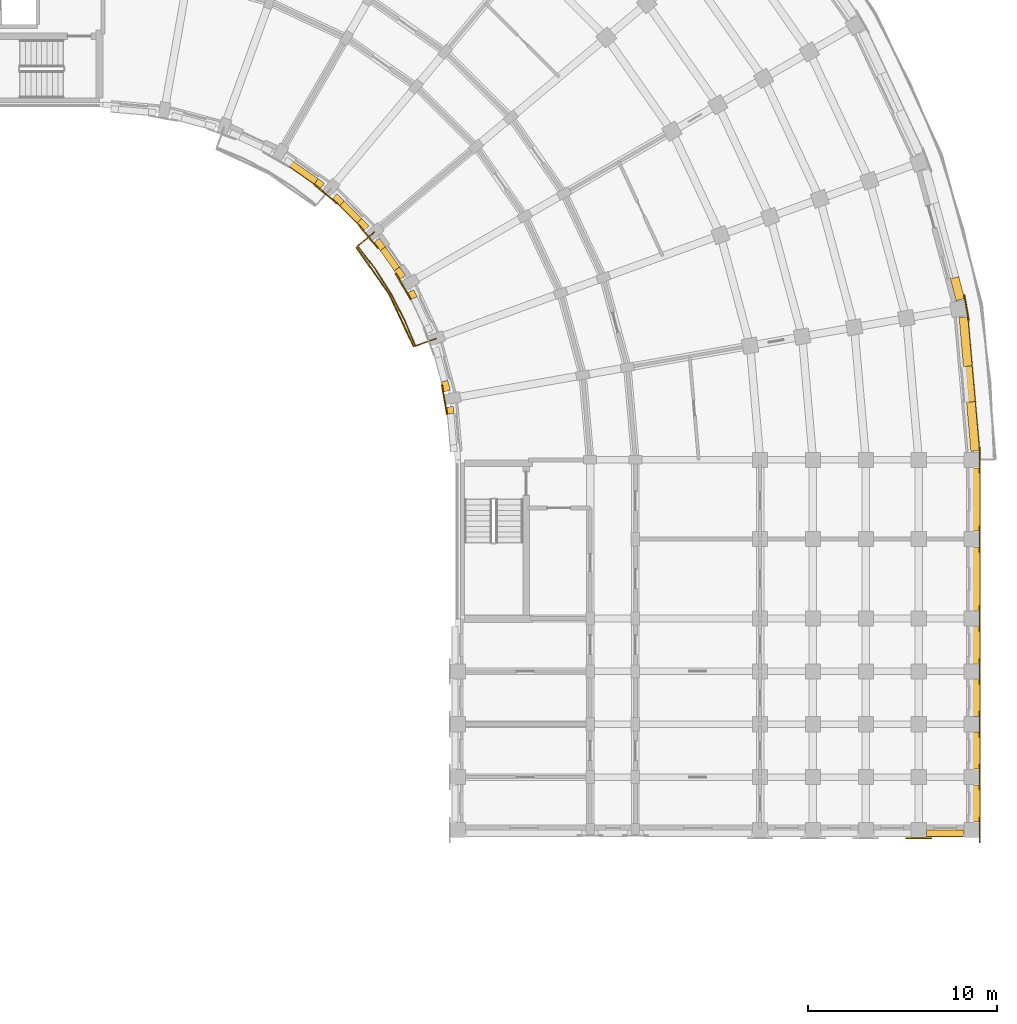
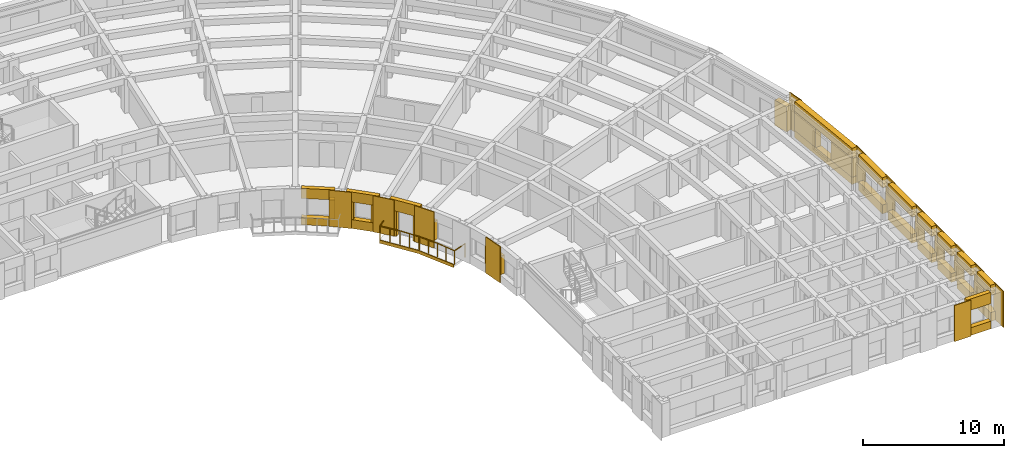
# One storey, part 51 of 54: 46 coverings, 1 railing.
"""IFC4 building model written with IfcOpenShell, lengths in metres."""

from ifc_helpers import new_model, si_unit, direction, frame, origin, origin_2d, place, context, subcontext, project, spatial, polyline, circle, outline, extrude, material, layer, layer_set, type_object, element, save


model = new_model("IFC4")

# Units and contexts
model_context = context("Model", 3, precision=1e-05, world=origin(), true_north=direction((0.0, 1.0)))
body_context = subcontext(model_context, "Body", "Model", "MODEL_VIEW")
ifc_project = project(units=[si_unit("LENGTHUNIT", "METRE"), si_unit("AREAUNIT", "SQUARE_METRE"), si_unit("VOLUMEUNIT", "CUBIC_METRE"), si_unit("PLANEANGLEUNIT", "RADIAN"), si_unit("MASSUNIT", "GRAM", prefix="KILO")], contexts=[model_context])

# Site, building, storey
site_placement = place(None, origin())
site = spatial("IfcSite", under=ifc_project, at=site_placement, CompositionType="ELEMENT")
building_placement = place(site_placement, origin())
building = spatial("IfcBuilding", under=site, at=building_placement, Name="Kiranvali Square Residences", CompositionType="ELEMENT")
storey_placement = place(building_placement, frame((0.0, 0.0, 15.0)))
storey = spatial("IfcBuildingStorey", under=building, at=storey_placement, Name="L04", CompositionType="ELEMENT", Elevation=15.0)

# Coverings
ifc_material_1 = material(Name="Carved Porbandar limestone classical entablature and cornice", Category="masonry")
ifc_layer_1 = layer(ifc_material_1, 0.06201171875)
ifc_layer_set_1 = layer_set([ifc_layer_1], Name="Carved Porbandar limestone classical entablature and cornice")
covering_type_1 = type_object("IfcCoveringType", Name="COV-CLAD-GBAL", PredefinedType="CLADDING", material=ifc_layer_set_1)
covering_1_placement = place(storey_placement, frame((0.0, 0.0, -0.219970703125)))
element("IfcCovering", 1, at=covering_1_placement, inside=storey, type_object=covering_type_1, Name="Block B L04 garden balcony limestone fascia 2", PredefinedType="CLADDING", context=body_context, shape_type="SweptSolid", body=[
    extrude(outline(polyline([(133.1904296875, 99.035888671875), (134.938232421875, 96.5400390625), (136.225830078125, 93.778564453125), (136.289794921875, 93.8017578125), (134.9970703125, 96.573974609375), (133.242431640625, 99.07958984375), (133.1904296875, 99.035888671875)])), origin(), (0.0, 0.0, 1.0), 0.27001953125),
])
ifc_material_2 = material(Name="Honed Porbandar limestone ashlar facade cladding", Category="masonry")
ifc_layer_2 = layer(ifc_material_2, 0.3798828125)
ifc_layer_set_2 = layer_set([ifc_layer_2], Name="Honed Porbandar limestone ashlar facade cladding")
covering_type_2 = type_object("IfcCoveringType", Name="COV-CLAD-JAMB", PredefinedType="CLADDING", material=ifc_layer_set_2)
covering_2_placement = place(storey_placement, origin())
element("IfcCovering", 2, at=covering_2_placement, inside=storey, type_object=covering_type_2, Name="L04 deep limestone window jamb reveal B-L04-CRV-07.R", PredefinedType="CLADDING", context=body_context, shape_type="SweptSolid", body=[
    extrude(outline(polyline([(164.67431640625, 97.382568359375), (164.985107421875, 96.22265625), (165.428955078125, 96.341552734375), (165.1181640625, 97.50146484375), (164.67431640625, 97.382568359375)])), origin(), (0.0, 0.0, 1.0), 2.179931640625),
])
covering_3_placement = place(storey_placement, frame((0.0, 0.0, 0.6220703125)))
element("IfcCovering", 3, at=covering_3_placement, inside=storey, type_object=covering_type_2, Name="L04 deep limestone window jamb reveal B-L04-CRV-08.L", PredefinedType="CLADDING", context=body_context, shape_type="SweptSolid", body=[
    extrude(outline(polyline([(165.140869140625, 95.339599609375), (165.3681640625, 92.740234375), (165.825927734375, 92.7802734375), (165.5986328125, 95.379638671875), (165.140869140625, 95.339599609375)])), origin(), (0.0, 0.0, 1.0), 1.64990234375),
])
covering_4_placement = place(storey_placement, frame((0.0, 0.0, 0.6220703125)))
element("IfcCovering", 4, at=covering_4_placement, inside=storey, type_object=covering_type_2, Name="L04 deep limestone window jamb reveal B-L04-CRV-08.R", PredefinedType="CLADDING", context=body_context, shape_type="SweptSolid", body=[
    extrude(outline(polyline([(165.533935546875, 90.84765625), (165.76123046875, 88.248291015625), (166.218994140625, 88.288330078125), (165.99169921875, 90.8876953125), (165.533935546875, 90.84765625)])), origin(), (0.0, 0.0, 1.0), 1.64990234375),
])
covering_5_placement = place(storey_placement, frame((0.0, 0.0, 0.6220703125)))
element("IfcCovering", 5, at=covering_5_placement, inside=storey, type_object=covering_type_2, Name="L04 deep limestone window jamb reveal B-L04-GDN-03.R", PredefinedType="CLADDING", context=body_context, shape_type="SweptSolid", body=[
    extrude(outline(polyline([(131.00244140625, 102.404052734375), (131.328857421875, 102.175537109375), (131.523681640625, 102.45361328125), (131.197265625, 102.68212890625), (131.00244140625, 102.404052734375)])), origin(), (0.0, 0.0, 1.0), 1.64990234375),
])
covering_6_placement = place(storey_placement, frame((0.0, 0.0, 0.77197265625)))
element("IfcCovering", 6, at=covering_6_placement, inside=storey, type_object=covering_type_2, Name="L04 deep limestone window jamb reveal B-L04-GDN-04.L", PredefinedType="CLADDING", context=body_context, shape_type="SweptSolid", body=[
    extrude(outline(polyline([(131.955078125, 101.650146484375), (132.343017578125, 101.26220703125), (132.5830078125, 101.502197265625), (132.195068359375, 101.89013671875), (131.955078125, 101.650146484375)])), origin(), (0.0, 0.0, 1.0), 1.5),
])
covering_7_placement = place(storey_placement, frame((0.0, 0.0, 0.77197265625)))
element("IfcCovering", 7, at=covering_7_placement, inside=storey, type_object=covering_type_2, Name="L04 deep limestone window jamb reveal B-L04-GDN-04.R", PredefinedType="CLADDING", context=body_context, shape_type="SweptSolid", body=[
    extrude(outline(polyline([(133.26220703125, 100.343017578125), (133.650146484375, 99.955078125), (133.89013671875, 100.195068359375), (133.502197265625, 100.5830078125), (133.26220703125, 100.343017578125)])), origin(), (0.0, 0.0, 1.0), 1.5),
])
covering_8_placement = place(storey_placement, origin())
element("IfcCovering", 8, at=covering_8_placement, inside=storey, type_object=covering_type_2, Name="L04 deep limestone window jamb reveal B-L04-GDN-05.L", PredefinedType="CLADDING", context=body_context, shape_type="SweptSolid", body=[
    extrude(outline(polyline([(134.175537109375, 99.328857421875), (134.490234375, 98.879638671875), (134.768310546875, 99.074462890625), (134.45361328125, 99.523681640625), (134.175537109375, 99.328857421875)])), origin(), (0.0, 0.0, 1.0), 2.179931640625),
])
covering_9_placement = place(storey_placement, origin())
element("IfcCovering", 9, at=covering_9_placement, inside=storey, type_object=covering_type_2, Name="L04 deep limestone window jamb reveal B-L04-GDN-05.R", PredefinedType="CLADDING", context=body_context, shape_type="SweptSolid", body=[
    extrude(outline(polyline([(135.23583984375, 97.814697265625), (135.55029296875, 97.365478515625), (135.828369140625, 97.56005859375), (135.513916015625, 98.009521484375), (135.23583984375, 97.814697265625)])), origin(), (0.0, 0.0, 1.0), 2.179931640625),
])
covering_10_placement = place(storey_placement, frame((0.0, 0.0, 0.6220703125)))
element("IfcCovering", 10, at=covering_10_placement, inside=storey, type_object=covering_type_2, Name="L04 deep limestone window jamb reveal B-L04-GDN-06.L", PredefinedType="CLADDING", context=body_context, shape_type="SweptSolid", body=[
    extrude(outline(polyline([(135.958984375, 96.657470703125), (136.12744140625, 96.29638671875), (136.435302734375, 96.43994140625), (136.266845703125, 96.801025390625), (135.958984375, 96.657470703125)])), origin(), (0.0, 0.0, 1.0), 1.64990234375),
])
covering_11_placement = place(storey_placement, frame((0.0, 0.0, 0.77197265625)))
element("IfcCovering", 11, at=covering_11_placement, inside=storey, type_object=covering_type_2, Name="L04 deep limestone window jamb reveal B-L04-GDN-07.R", PredefinedType="CLADDING", context=body_context, shape_type="SweptSolid", body=[
    extrude(outline(polyline([(137.730224609375, 91.931396484375), (137.8720703125, 91.401611328125), (138.199951171875, 91.489501953125), (138.05810546875, 92.019287109375), (137.730224609375, 91.931396484375)])), origin(), (0.0, 0.0, 1.0), 1.5),
])
covering_12_placement = place(storey_placement, frame((0.0, 0.0, 0.672119140625)))
element("IfcCovering", 12, at=covering_12_placement, inside=storey, type_object=covering_type_2, Name="L04 deep limestone window jamb reveal B-L04-GDN-08.L", PredefinedType="CLADDING", context=body_context, shape_type="SweptSolid", body=[
    extrude(outline(polyline([(138.013916015625, 90.5966796875), (138.046630859375, 90.224609375), (138.384765625, 90.254150390625), (138.352294921875, 90.626220703125), (138.013916015625, 90.5966796875)])), origin(), (0.0, 0.0, 1.0), 1.599853515625),
])
ifc_layer_3 = layer(ifc_material_2, 0.06494140625)
ifc_layer_set_3 = layer_set([ifc_layer_3], Name="Honed Porbandar limestone ashlar facade cladding")
covering_type_3 = type_object("IfcCoveringType", Name="COV-CLAD-PIER", PredefinedType="CLADDING", material=ifc_layer_set_3)
covering_13_placement = place(storey_placement, frame((0.0, 0.0, 0.0048828125)))
element("IfcCovering", 13, at=covering_13_placement, inside=storey, type_object=covering_type_3, Name="L04 Classical limestone corner pilaster CLAD-PR-B-L04-A08", PredefinedType="CLADDING", context=body_context, shape_type="SweptSolid", body=[
    extrude(outline(polyline([(165.68017578125, 95.199462890625), (165.444091796875, 96.538818359375), (165.37744140625, 96.527099609375), (165.61376953125, 95.187744140625), (165.68017578125, 95.199462890625)])), origin(), (0.0, 0.0, 1.0), 3.14013671875),
])
covering_14_placement = place(storey_placement, frame((0.0, 0.0, 0.0048828125)))
element("IfcCovering", 14, at=covering_14_placement, inside=storey, type_object=covering_type_3, Name="L04 Classical limestone corner pilaster CLAD-PR-B-L04-A09", PredefinedType="CLADDING", context=body_context, shape_type="SweptSolid", body=[
    extrude(outline(polyline([(166.26806640625, 87.1201171875), (166.26806640625, 88.47998046875), (166.200439453125, 88.47998046875), (166.200439453125, 87.1201171875), (166.26806640625, 87.1201171875)])), origin(), (0.0, 0.0, 1.0), 3.14013671875),
])
covering_15_placement = place(storey_placement, frame((0.0, 0.0, 0.0048828125)))
element("IfcCovering", 15, at=covering_15_placement, inside=storey, type_object=covering_type_3, Name="L04 Classical limestone pilaster casing CLAD-PR-B-L04-V42", PredefinedType="CLADDING", context=body_context, shape_type="SweptSolid", body=[
    extrude(outline(polyline([(166.200439453125, 84.280029296875), (166.200439453125, 82.919921875), (166.26806640625, 82.919921875), (166.26806640625, 84.280029296875), (166.200439453125, 84.280029296875)])), origin(), (0.0, 0.0, 1.0), 3.14013671875),
])
covering_16_placement = place(storey_placement, frame((0.0, 0.0, 0.0048828125)))
element("IfcCovering", 16, at=covering_16_placement, inside=storey, type_object=covering_type_3, Name="L04 Classical limestone pilaster casing CLAD-PR-B-L04-V84", PredefinedType="CLADDING", context=body_context, shape_type="SweptSolid", body=[
    extrude(outline(polyline([(166.200439453125, 80.080078125), (166.200439453125, 78.719970703125), (166.26806640625, 78.719970703125), (166.26806640625, 80.080078125), (166.200439453125, 80.080078125)])), origin(), (0.0, 0.0, 1.0), 3.14013671875),
])
covering_17_placement = place(storey_placement, frame((0.0, 0.0, 0.0048828125)))
element("IfcCovering", 17, at=covering_17_placement, inside=storey, type_object=covering_type_3, Name="L04 Classical limestone pilaster casing CLAD-PR-B-L04-V112", PredefinedType="CLADDING", context=body_context, shape_type="SweptSolid", body=[
    extrude(outline(polyline([(166.200439453125, 77.280029296875), (166.200439453125, 75.919921875), (166.26806640625, 75.919921875), (166.26806640625, 77.280029296875), (166.200439453125, 77.280029296875)])), origin(), (0.0, 0.0, 1.0), 3.14013671875),
])
covering_18_placement = place(storey_placement, frame((0.0, 0.0, 0.0048828125)))
element("IfcCovering", 18, at=covering_18_placement, inside=storey, type_object=covering_type_3, Name="L04 Classical limestone pilaster casing CLAD-PR-B-L04-V140", PredefinedType="CLADDING", context=body_context, shape_type="SweptSolid", body=[
    extrude(outline(polyline([(166.200439453125, 74.47998046875), (166.200439453125, 73.1201171875), (166.26806640625, 73.1201171875), (166.26806640625, 74.47998046875), (166.200439453125, 74.47998046875)])), origin(), (0.0, 0.0, 1.0), 3.14013671875),
])
covering_19_placement = place(storey_placement, frame((0.0, 0.0, 0.0048828125)))
element("IfcCovering", 19, at=covering_19_placement, inside=storey, type_object=covering_type_3, Name="L04 Classical limestone pilaster casing CLAD-PR-B-L04-V167", PredefinedType="CLADDING", context=body_context, shape_type="SweptSolid", body=[
    extrude(outline(polyline([(166.200439453125, 71.679931640625), (166.200439453125, 70.320068359375), (166.26806640625, 70.320068359375), (166.26806640625, 71.679931640625), (166.200439453125, 71.679931640625)])), origin(), (0.0, 0.0, 1.0), 3.14013671875),
])
covering_20_placement = place(storey_placement, frame((0.0, 0.0, 0.0048828125)))
element("IfcCovering", 20, at=covering_20_placement, inside=storey, type_object=covering_type_3, Name="L04 Classical limestone pilaster casing CLAD-PR-B-L04-V196", PredefinedType="CLADDING", context=body_context, shape_type="SweptSolid", body=[
    extrude(outline(polyline([(166.200439453125, 68.8798828125), (166.200439453125, 67.52001953125), (166.26806640625, 67.52001953125), (166.26806640625, 68.8798828125), (166.200439453125, 68.8798828125)])), origin(), (0.0, 0.0, 1.0), 3.14013671875),
])
ifc_layer_4 = layer(ifc_material_2, 0.050048828125)
ifc_layer_set_4 = layer_set([ifc_layer_4], Name="Honed Porbandar limestone ashlar facade cladding")
covering_type_4 = type_object("IfcCoveringType", Name="COV-CLAD-PIER-IN", PredefinedType="CLADDING", material=ifc_layer_set_4)
covering_21_placement = place(storey_placement, frame((0.0, 0.0, 0.0048828125)))
element("IfcCovering", 21, at=covering_21_placement, inside=storey, type_object=covering_type_4, Name="L04 Classical garden courtyard pilaster CLAD-PRIN-B-L04-A04", PredefinedType="CLADDING", context=body_context, shape_type="SweptSolid", body=[
    extrude(outline(polyline([(130.970703125, 102.357421875), (132.196533203125, 101.328857421875), (132.23974609375, 101.380615234375), (131.01416015625, 102.4091796875), (130.970703125, 102.357421875)])), origin(), (0.0, 0.0, 1.0), 3.14013671875),
])
covering_22_placement = place(storey_placement, frame((0.0, 0.0, 0.0048828125)))
element("IfcCovering", 22, at=covering_22_placement, inside=storey, type_object=covering_type_4, Name="L04 Classical garden courtyard pilaster CLAD-PRIN-B-L04-A05", PredefinedType="CLADDING", context=body_context, shape_type="SweptSolid", body=[
    extrude(outline(polyline([(133.328857421875, 100.196533203125), (134.357421875, 98.970703125), (134.4091796875, 99.01416015625), (133.380615234375, 100.23974609375), (133.328857421875, 100.196533203125)])), origin(), (0.0, 0.0, 1.0), 3.14013671875),
])
covering_23_placement = place(storey_placement, frame((0.0, 0.0, 0.0048828125)))
element("IfcCovering", 23, at=covering_23_placement, inside=storey, type_object=covering_type_4, Name="L04 Classical garden courtyard pilaster CLAD-PRIN-B-L04-A06", PredefinedType="CLADDING", context=body_context, shape_type="SweptSolid", body=[
    extrude(outline(polyline([(135.27587890625, 97.658935546875), (136.075927734375, 96.273193359375), (136.134521484375, 96.306884765625), (135.33447265625, 97.692626953125), (135.27587890625, 97.658935546875)])), origin(), (0.0, 0.0, 1.0), 3.14013671875),
])
covering_24_placement = place(storey_placement, frame((0.0, 0.0, 0.0048828125)))
element("IfcCovering", 24, at=covering_24_placement, inside=storey, type_object=covering_type_4, Name="L04 Classical garden courtyard pilaster CLAD-PRIN-B-L04-A08", PredefinedType="CLADDING", context=body_context, shape_type="SweptSolid", body=[
    extrude(outline(polyline([(137.714599609375, 91.771240234375), (137.992431640625, 90.195556640625), (138.058837890625, 90.207275390625), (137.781005859375, 91.782958984375), (137.714599609375, 91.771240234375)])), origin(), (0.0, 0.0, 1.0), 3.14013671875),
])
ifc_layer_5 = layer(ifc_material_2, 0.054931640625)
ifc_layer_set_5 = layer_set([ifc_layer_5], Name="Honed Porbandar limestone ashlar facade cladding")
covering_type_5 = type_object("IfcCoveringType", Name="COV-CLAD-PIER-UP", PredefinedType="CLADDING", material=ifc_layer_set_5)
covering_25_placement = place(storey_placement, frame((0.0, 0.0, 0.0048828125)))
element("IfcCovering", 25, at=covering_25_placement, inside=storey, type_object=covering_type_5, Name="L04 Classical limestone pilaster casing CLAD-PRA2E-B-L04-R432", PredefinedType="CLADDING", context=body_context, shape_type="SweptSolid", body=[
    extrude(outline(polyline([(162.320068359375, 67.73193359375), (163.679931640625, 67.73193359375), (163.679931640625, 67.799560546875), (162.320068359375, 67.799560546875), (162.320068359375, 67.73193359375)])), origin(), (0.0, 0.0, 1.0), 3.14013671875),
])
ifc_layer_6 = layer(ifc_material_2, 0.360107421875)
ifc_layer_set_6 = layer_set([ifc_layer_6], Name="Honed Porbandar limestone ashlar facade cladding")
covering_type_6 = type_object("IfcCoveringType", Name="COV-CLAD-WALL", PredefinedType="CLADDING", material=ifc_layer_set_6)
covering_26_placement = place(storey_placement, frame((0.0, 0.0, 2.27197265625)))
element("IfcCovering", 26, at=covering_26_placement, inside=storey, type_object=covering_type_6, Name="L04 light limestone spandrel lintel B-L04-CRV-08", PredefinedType="CLADDING", context=body_context, shape_type="SweptSolid", body=[
    extrude(outline(polyline([(165.140869140625, 95.339599609375), (165.76123046875, 88.248291015625), (166.218994140625, 88.288330078125), (165.5986328125, 95.379638671875), (165.140869140625, 95.339599609375)])), origin(), (0.0, 0.0, 1.0), 0.873046875),
])
covering_27_placement = place(storey_placement, frame((0.0, 0.0, 0.0048828125)))
element("IfcCovering", 27, at=covering_27_placement, inside=storey, type_object=covering_type_6, Name="L04 limestone window sill apron B-L04-CRV-08", PredefinedType="CLADDING", context=body_context, shape_type="SweptSolid", body=[
    extrude(outline(polyline([(165.140869140625, 95.339599609375), (165.76123046875, 88.248291015625), (166.2490234375, 88.291015625), (165.62841796875, 95.38232421875), (165.140869140625, 95.339599609375)])), origin(), (0.0, 0.0, 1.0), 0.6171875),
])
covering_28_placement = place(storey_placement, frame((0.0, 0.0, 2.27197265625)))
element("IfcCovering", 28, at=covering_28_placement, inside=storey, type_object=covering_type_6, Name="L04 light limestone spandrel lintel B-L04-GDN-03", PredefinedType="CLADDING", context=body_context, shape_type="SweptSolid", body=[
    extrude(outline(polyline([(129.365478515625, 103.55029296875), (131.328857421875, 102.175537109375), (131.523681640625, 102.45361328125), (129.56005859375, 103.828369140625), (129.365478515625, 103.55029296875)])), origin(), (0.0, 0.0, 1.0), 0.873046875),
])
covering_29_placement = place(storey_placement, frame((0.0, 0.0, 2.27197265625)))
element("IfcCovering", 29, at=covering_29_placement, inside=storey, type_object=covering_type_6, Name="L04 light limestone spandrel lintel B-L04-GDN-04", PredefinedType="CLADDING", context=body_context, shape_type="SweptSolid", body=[
    extrude(outline(polyline([(131.955078125, 101.650146484375), (133.650146484375, 99.955078125), (133.89013671875, 100.195068359375), (132.195068359375, 101.89013671875), (131.955078125, 101.650146484375)])), origin(), (0.0, 0.0, 1.0), 0.873046875),
])
covering_30_placement = place(storey_placement, frame((0.0, 0.0, 2.179931640625)))
element("IfcCovering", 30, at=covering_30_placement, inside=storey, type_object=covering_type_6, Name="L04 light limestone spandrel lintel B-L04-GDN-05", PredefinedType="CLADDING", context=body_context, shape_type="SweptSolid", body=[
    extrude(outline(polyline([(134.175537109375, 99.328857421875), (135.55029296875, 97.365478515625), (135.828369140625, 97.56005859375), (134.45361328125, 99.523681640625), (134.175537109375, 99.328857421875)])), origin(), (0.0, 0.0, 1.0), 0.965087890625),
])
covering_31_placement = place(storey_placement, frame((0.0, 0.0, 2.27197265625)))
element("IfcCovering", 31, at=covering_31_placement, inside=storey, type_object=covering_type_6, Name="L04 light limestone spandrel lintel B-L04-A2O-0", PredefinedType="CLADDING", context=body_context, shape_type="SweptSolid", body=[
    extrude(outline(polyline([(165.800537109375, 87.3798828125), (165.800537109375, 84.02001953125), (166.25, 84.02001953125), (166.25, 87.3798828125), (165.800537109375, 87.3798828125)])), origin(), (0.0, 0.0, 1.0), 0.873046875),
])
covering_32_placement = place(storey_placement, frame((0.0, 0.0, 0.0048828125)))
element("IfcCovering", 32, at=covering_32_placement, inside=storey, type_object=covering_type_6, Name="L04 limestone window sill apron B-L04-A2O-0", PredefinedType="CLADDING", context=body_context, shape_type="SweptSolid", body=[
    extrude(outline(polyline([(165.800537109375, 87.3798828125), (165.800537109375, 84.02001953125), (166.280029296875, 84.02001953125), (166.280029296875, 87.3798828125), (165.800537109375, 87.3798828125)])), origin(), (0.0, 0.0, 1.0), 0.76708984375),
])
covering_33_placement = place(storey_placement, frame((0.0, 0.0, 2.27197265625)))
element("IfcCovering", 33, at=covering_33_placement, inside=storey, type_object=covering_type_6, Name="L04 light limestone spandrel lintel B-L04-A2O-1", PredefinedType="CLADDING", context=body_context, shape_type="SweptSolid", body=[
    extrude(outline(polyline([(165.800537109375, 83.179931640625), (165.800537109375, 79.820068359375), (166.25, 79.820068359375), (166.25, 83.179931640625), (165.800537109375, 83.179931640625)])), origin(), (0.0, 0.0, 1.0), 0.873046875),
])
covering_34_placement = place(storey_placement, frame((0.0, 0.0, 0.0048828125)))
element("IfcCovering", 34, at=covering_34_placement, inside=storey, type_object=covering_type_6, Name="L04 limestone window sill apron B-L04-A2O-1", PredefinedType="CLADDING", context=body_context, shape_type="SweptSolid", body=[
    extrude(outline(polyline([(165.800537109375, 83.179931640625), (165.800537109375, 79.820068359375), (166.280029296875, 79.820068359375), (166.280029296875, 83.179931640625), (165.800537109375, 83.179931640625)])), origin(), (0.0, 0.0, 1.0), 0.76708984375),
])
covering_35_placement = place(storey_placement, frame((0.0, 0.0, 2.27197265625)))
element("IfcCovering", 35, at=covering_35_placement, inside=storey, type_object=covering_type_6, Name="L04 light limestone spandrel lintel B-L04-A2O-2", PredefinedType="CLADDING", context=body_context, shape_type="SweptSolid", body=[
    extrude(outline(polyline([(165.800537109375, 78.97998046875), (165.800537109375, 77.02001953125), (166.25, 77.02001953125), (166.25, 78.97998046875), (165.800537109375, 78.97998046875)])), origin(), (0.0, 0.0, 1.0), 0.873046875),
])
covering_36_placement = place(storey_placement, frame((0.0, 0.0, 0.0048828125)))
element("IfcCovering", 36, at=covering_36_placement, inside=storey, type_object=covering_type_6, Name="L04 limestone window sill apron B-L04-A2O-2", PredefinedType="CLADDING", context=body_context, shape_type="SweptSolid", body=[
    extrude(outline(polyline([(165.800537109375, 78.97998046875), (165.800537109375, 77.02001953125), (166.280029296875, 77.02001953125), (166.280029296875, 78.97998046875), (165.800537109375, 78.97998046875)])), origin(), (0.0, 0.0, 1.0), 0.76708984375),
])
covering_37_placement = place(storey_placement, frame((0.0, 0.0, 2.27197265625)))
element("IfcCovering", 37, at=covering_37_placement, inside=storey, type_object=covering_type_6, Name="L04 light limestone spandrel lintel B-L04-A2O-3", PredefinedType="CLADDING", context=body_context, shape_type="SweptSolid", body=[
    extrude(outline(polyline([(165.800537109375, 76.179931640625), (165.800537109375, 74.219970703125), (166.25, 74.219970703125), (166.25, 76.179931640625), (165.800537109375, 76.179931640625)])), origin(), (0.0, 0.0, 1.0), 0.873046875),
])
covering_38_placement = place(storey_placement, frame((0.0, 0.0, 0.0048828125)))
element("IfcCovering", 38, at=covering_38_placement, inside=storey, type_object=covering_type_6, Name="L04 limestone window sill apron B-L04-A2O-3", PredefinedType="CLADDING", context=body_context, shape_type="SweptSolid", body=[
    extrude(outline(polyline([(165.800537109375, 76.179931640625), (165.800537109375, 74.219970703125), (166.280029296875, 74.219970703125), (166.280029296875, 76.179931640625), (165.800537109375, 76.179931640625)])), origin(), (0.0, 0.0, 1.0), 0.76708984375),
])
covering_39_placement = place(storey_placement, frame((0.0, 0.0, 2.27197265625)))
element("IfcCovering", 39, at=covering_39_placement, inside=storey, type_object=covering_type_6, Name="L04 light limestone spandrel lintel B-L04-A2O-4", PredefinedType="CLADDING", context=body_context, shape_type="SweptSolid", body=[
    extrude(outline(polyline([(165.800537109375, 73.3798828125), (165.800537109375, 71.419921875), (166.25, 71.419921875), (166.25, 73.3798828125), (165.800537109375, 73.3798828125)])), origin(), (0.0, 0.0, 1.0), 0.873046875),
])
covering_40_placement = place(storey_placement, frame((0.0, 0.0, 0.0048828125)))
element("IfcCovering", 40, at=covering_40_placement, inside=storey, type_object=covering_type_6, Name="L04 limestone window sill apron B-L04-A2O-4", PredefinedType="CLADDING", context=body_context, shape_type="SweptSolid", body=[
    extrude(outline(polyline([(165.800537109375, 73.3798828125), (165.800537109375, 71.419921875), (166.280029296875, 71.419921875), (166.280029296875, 73.3798828125), (165.800537109375, 73.3798828125)])), origin(), (0.0, 0.0, 1.0), 0.76708984375),
])
covering_41_placement = place(storey_placement, frame((0.0, 0.0, 2.27197265625)))
element("IfcCovering", 41, at=covering_41_placement, inside=storey, type_object=covering_type_6, Name="L04 light limestone spandrel lintel B-L04-A2O-5", PredefinedType="CLADDING", context=body_context, shape_type="SweptSolid", body=[
    extrude(outline(polyline([(165.800537109375, 70.580078125), (165.800537109375, 68.6201171875), (166.25, 68.6201171875), (166.25, 70.580078125), (165.800537109375, 70.580078125)])), origin(), (0.0, 0.0, 1.0), 0.873046875),
])
covering_42_placement = place(storey_placement, frame((0.0, 0.0, 0.0048828125)))
element("IfcCovering", 42, at=covering_42_placement, inside=storey, type_object=covering_type_6, Name="L04 limestone window sill apron B-L04-A2O-5", PredefinedType="CLADDING", context=body_context, shape_type="SweptSolid", body=[
    extrude(outline(polyline([(165.800537109375, 70.580078125), (165.800537109375, 68.6201171875), (166.280029296875, 68.6201171875), (166.280029296875, 70.580078125), (165.800537109375, 70.580078125)])), origin(), (0.0, 0.0, 1.0), 0.76708984375),
])
covering_43_placement = place(storey_placement, frame((0.0, 0.0, 2.172119140625)))
element("IfcCovering", 43, at=covering_43_placement, inside=storey, type_object=covering_type_6, Name="L04 light limestone spandrel lintel B-L04-A2END-6", PredefinedType="CLADDING", context=body_context, shape_type="SweptSolid", body=[
    extrude(outline(polyline([(163.419921875, 67.860107421875), (165.3798828125, 67.860107421875), (165.3798828125, 68.199462890625), (163.419921875, 68.199462890625), (163.419921875, 67.860107421875)])), origin(), (0.0, 0.0, 1.0), 0.972900390625),
])
covering_44_placement = place(storey_placement, frame((0.0, 0.0, 0.0048828125)))
element("IfcCovering", 44, at=covering_44_placement, inside=storey, type_object=covering_type_6, Name="L04 limestone window sill apron B-L04-A2END-6", PredefinedType="CLADDING", context=body_context, shape_type="SweptSolid", body=[
    extrude(outline(polyline([(163.419921875, 67.830078125), (165.3798828125, 67.830078125), (165.3798828125, 68.199462890625), (163.419921875, 68.199462890625), (163.419921875, 67.830078125)])), origin(), (0.0, 0.0, 1.0), 0.667236328125),
])
ifc_layer_7 = layer(ifc_material_2, 0.2900390625)
ifc_layer_set_7 = layer_set([ifc_layer_7], Name="Honed Porbandar limestone ashlar facade cladding")
covering_type_7 = type_object("IfcCoveringType", Name="COV-CLAD-WALL-IN", PredefinedType="CLADDING", material=ifc_layer_set_7)
covering_45_placement = place(storey_placement, frame((0.0, 0.0, 0.0048828125)))
element("IfcCovering", 45, at=covering_45_placement, inside=storey, type_object=covering_type_7, Name="L04 limestone window sill apron B-L04-GDN-03", PredefinedType="CLADDING", context=body_context, shape_type="SweptSolid", body=[
    extrude(outline(polyline([(129.34814453125, 103.52587890625), (131.311767578125, 102.15087890625), (131.523681640625, 102.45361328125), (129.56005859375, 103.828369140625), (129.34814453125, 103.52587890625)])), origin(), (0.0, 0.0, 1.0), 0.6171875),
])
covering_46_placement = place(storey_placement, frame((0.0, 0.0, 0.0048828125)))
element("IfcCovering", 46, at=covering_46_placement, inside=storey, type_object=covering_type_7, Name="L04 limestone window sill apron B-L04-GDN-04", PredefinedType="CLADDING", context=body_context, shape_type="SweptSolid", body=[
    extrude(outline(polyline([(131.933837890625, 101.62890625), (133.62890625, 99.933837890625), (133.89013671875, 100.195068359375), (132.195068359375, 101.89013671875), (131.933837890625, 101.62890625)])), origin(), (0.0, 0.0, 1.0), 0.76708984375),
])

# Railing
ifc_material_3 = material(Name="Powder-coated architectural bronze balustrade", Category="steel")
railing_type = type_object("IfcRailingType", Name="RL-BAL-GOLD-1200", PredefinedType="BALUSTRADE", material=ifc_material_3)
railing_placement = place(storey_placement, frame((134.1708984375, 99.858642578125, 0.0)))
element("IfcRailing", 47, at=railing_placement, inside=storey, type_object=railing_type, Name="Block B L04 garden balcony gold balustrade 2", PredefinedType="BALUSTRADE", context=body_context, shape_type="SweptSolid", body=[
    extrude(circle(Radius=0.02392578125, at=origin_2d()), frame((0.0, 0.0, 1.17578125), z_axis=(-0.765989188314, -0.642853454051, 0.0), x_axis=(0.642853454051, -0.765989188314, 0.0)), (0.0, 0.0, 1.0), 1.14990234375),
    extrude(circle(Radius=0.02392578125, at=origin_2d()), frame((-0.880859375, -0.7392578125, 1.17578125), z_axis=(0.608811807471, -0.793314680996, 0.0), x_axis=(0.793314680996, 0.608811807471, 0.0)), (0.0, 0.0, 1.0), 1.536376953125),
    extrude(circle(Radius=0.02392578125, at=origin_2d()), frame((0.054443359375, -1.9580078125, 1.17578125), z_axis=(0.537307309343, -0.843386539688, 0.0), x_axis=(0.843386539688, 0.537307309343, 0.0)), (0.0, 0.0, 1.0), 1.5361328125),
    extrude(circle(Radius=0.02392578125, at=origin_2d()), frame((0.8798828125, -3.253662109375, 1.17578125), z_axis=(0.461713009976, -0.887029366154, 0.0), x_axis=(0.887029366154, 0.461713009976, 0.0)), (0.0, 0.0, 1.0), 1.5361328125),
    extrude(circle(Radius=0.02392578125, at=origin_2d()), frame((1.589111328125, -4.6162109375, 1.17578125), z_axis=(0.382651197843, -0.923892883829, 0.0), x_axis=(0.923892883829, 0.382651197843, 0.0)), (0.0, 0.0, 1.0), 1.536376953125),
    extrude(circle(Radius=0.02392578125, at=origin_2d()), frame((2.177001953125, -6.03564453125, 1.17578125), z_axis=(0.939712828289, 0.341964618562, 0.0), x_axis=(-0.341964618562, 0.939712828289, 0.0)), (0.0, 0.0, 1.0), 1.150146484375),
    extrude(circle(Radius=0.02099609375, at=origin_2d()), origin(), (0.0, 0.0, 1.0), 1.15185546875),
    extrude(circle(Radius=0.02099609375, at=origin_2d()), frame((-0.880859375, -0.7392578125, 0.0)), (0.0, 0.0, 1.0), 1.15185546875),
    extrude(circle(Radius=0.02099609375, at=origin_2d()), frame((-0.4130859375, -1.3486328125, 0.0)), (0.0, 0.0, 1.0), 1.15185546875),
    extrude(circle(Radius=0.02099609375, at=origin_2d()), frame((0.054443359375, -1.9580078125, 0.0)), (0.0, 0.0, 1.0), 1.15185546875),
    extrude(circle(Radius=0.02099609375, at=origin_2d()), frame((0.46728515625, -2.60595703125, 0.0)), (0.0, 0.0, 1.0), 1.15185546875),
    extrude(circle(Radius=0.02099609375, at=origin_2d()), frame((0.8798828125, -3.253662109375, 0.0)), (0.0, 0.0, 1.0), 1.15185546875),
    extrude(circle(Radius=0.02099609375, at=origin_2d()), frame((1.234375, -3.93505859375, 0.0)), (0.0, 0.0, 1.0), 1.15185546875),
    extrude(circle(Radius=0.02099609375, at=origin_2d()), frame((1.589111328125, -4.6162109375, 0.0)), (0.0, 0.0, 1.0), 1.15185546875),
    extrude(circle(Radius=0.02099609375, at=origin_2d()), frame((1.883056640625, -5.325927734375, 0.0)), (0.0, 0.0, 1.0), 1.15185546875),
    extrude(circle(Radius=0.02099609375, at=origin_2d()), frame((2.177001953125, -6.03564453125, 0.0)), (0.0, 0.0, 1.0), 1.15185546875),
    extrude(circle(Radius=0.02099609375, at=origin_2d()), frame((3.2578125, -5.642333984375, 0.0)), (0.0, 0.0, 1.0), 1.15185546875),
])

save(model, "model.ifc")
